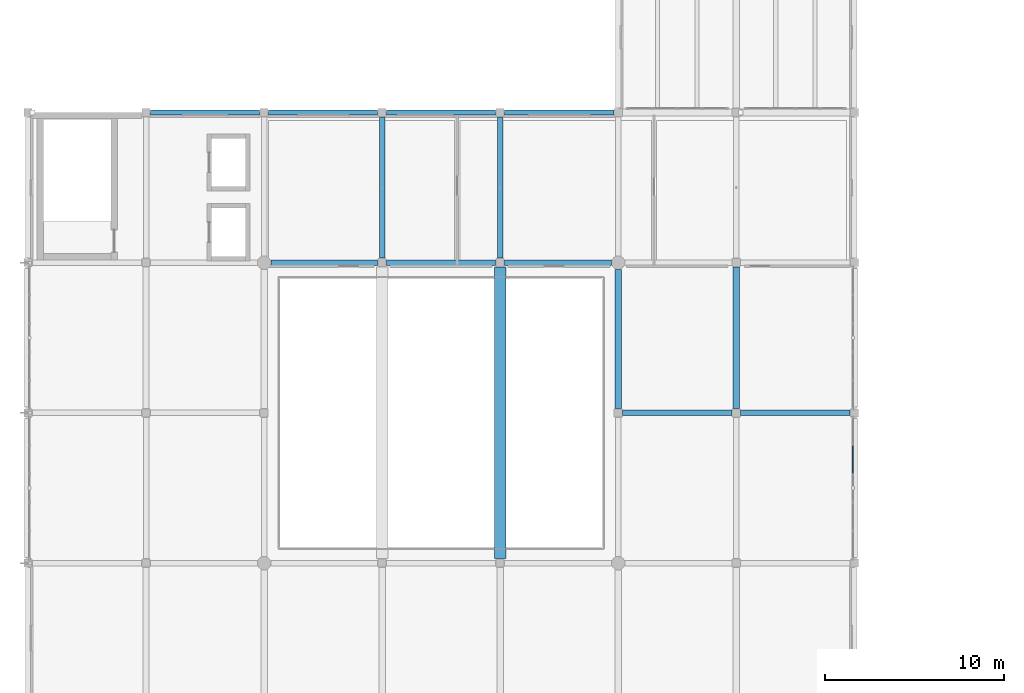
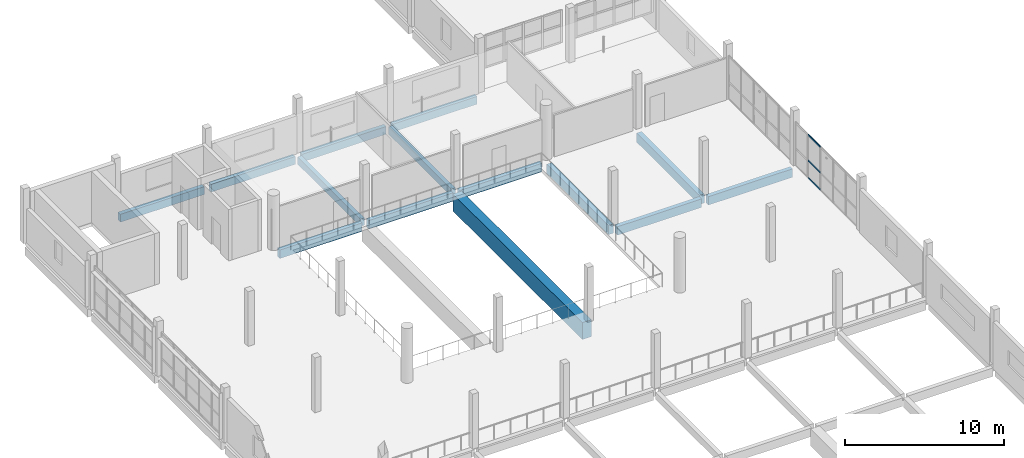
# One storey, part 8 of 74: 14 beams, 3 members, 1 element without a shape of its own.
"""IFC4 building model written with IfcOpenShell, lengths in metres."""

from ifc_helpers import new_model, si_unit, direction, frame, origin, origin_2d, place, context, subcontext, project, spatial, rectangle, extrude, material, material_profile, profile_set, type_object, element, aggregate, save


model = new_model("IFC4")

# Units and contexts
model_context = context("Model", 3, precision=1e-05, world=origin(), true_north=direction((0.0, 1.0)))
body_context = subcontext(model_context, "Body", "Model", "MODEL_VIEW")
ifc_project = project(units=[si_unit("LENGTHUNIT", "METRE"), si_unit("AREAUNIT", "SQUARE_METRE"), si_unit("VOLUMEUNIT", "CUBIC_METRE"), si_unit("PLANEANGLEUNIT", "RADIAN"), si_unit("MASSUNIT", "GRAM", prefix="KILO")], contexts=[model_context])

# Site, building, storey
site_placement = place(None, origin())
site = spatial("IfcSite", under=ifc_project, at=site_placement, CompositionType="ELEMENT")
building_placement = place(site_placement, origin())
building = spatial("IfcBuilding", under=site, at=building_placement, Name="Qaldarim Faculty of Natural and Applied Sciences", CompositionType="ELEMENT")
storey_placement = place(building_placement, frame((0.0, 0.0, 14.39990234375)))
storey = spatial("IfcBuildingStorey", under=building, at=storey_placement, Name="L03", CompositionType="ELEMENT", Elevation=14.39990234375)

# Beams
ifc_material_1 = material(Name="Concrete C40/50", Category="concrete")
ifc_material_profile_1 = material_profile(ifc_material_1, rectangle(XDim=0.300048828125, YDim=0.550048828125, at=origin_2d()), Name="RC-B300x550")
ifc_profile_set_1 = profile_set([ifc_material_profile_1], Name="Concrete C40/50")
beam_type_1 = type_object("IfcBeamType", Name="FloorBeam-RC300x550", PredefinedType="BEAM", material=ifc_profile_set_1)
for number, where, z_axis, x_axis, name in (
    (1, (19.800048828125, 75.85009765625, -0.534912109375), (0.0, 1.0, 0.0), (-1.0, 0.0, 0.0), "Beam RC-B300x550 L02 X04/Y10-Y11"),
    (2, (26.39990234375, 75.85009765625, -0.534912109375), (0.0, 1.0, 0.0), (-1.0, 0.0, 0.0), "Beam RC-B300x550 L02 X05/Y10-Y11"),
):
    element("IfcBeam", number, at=place(storey_placement, frame(where, z_axis=z_axis, x_axis=x_axis)), inside=storey, type_object=beam_type_1, Name=name, PredefinedType="BEAM", context=body_context, shape_type="SweptSolid", body=[
        extrude(rectangle(XDim=0.300048828125, YDim=0.550048828125, at=origin_2d()), origin(), (0.0, 0.0, 1.0), 7.89990234375),
    ])
ifc_material_profile_2 = material_profile(ifc_material_1, rectangle(XDim=0.300048828125, YDim=0.64990234375, at=origin_2d()), Name="RC-B300x650")
ifc_profile_set_2 = profile_set([ifc_material_profile_2], Name="Concrete C40/50")
beam_type_2 = type_object("IfcBeamType", Name="PrimaryBeam-RC300x650", PredefinedType="BEAM", material=ifc_profile_set_2)
beam_1_placement = place(storey_placement, frame((33.25, 67.199951171875, -0.5849609375), z_axis=(1.0, 0.0, 0.0), x_axis=(0.0, 1.0, 0.0)))
element("IfcBeam", 3, at=beam_1_placement, inside=storey, type_object=beam_type_2, Name="Beam RC-B300x650 L02 X06-X07/Y09", PredefinedType="BEAM", context=body_context, shape_type="SweptSolid", body=[
    extrude(rectangle(XDim=0.300048828125, YDim=0.64990234375, at=origin_2d()), origin(), (0.0, 0.0, 1.0), 6.10009765625),
])
beam_2_placement = place(storey_placement, frame((39.85009765625, 67.199951171875, -0.5849609375), z_axis=(1.0, 0.0, 0.0), x_axis=(0.0, 1.0, 0.0)))
element("IfcBeam", 4, at=beam_2_placement, inside=storey, type_object=beam_type_2, Name="Beam RC-B300x650 L02 X07-X08/Y09", PredefinedType="BEAM", context=body_context, shape_type="SweptSolid", body=[
    extrude(rectangle(XDim=0.300048828125, YDim=0.64990234375, at=origin_2d()), origin(), (0.0, 0.0, 1.0), 6.099853515625),
])
beam_3_placement = place(storey_placement, frame((13.574951171875, 75.60009765625, -0.5849609375), z_axis=(1.0, 0.0, 0.0), x_axis=(0.0, 1.0, 0.0)))
element("IfcBeam", 5, at=beam_3_placement, inside=storey, type_object=beam_type_2, Name="Beam RC-B300x650 L02 X03-X04/Y10", PredefinedType="BEAM", context=body_context, shape_type="SweptSolid", body=[
    extrude(rectangle(XDim=0.300048828125, YDim=0.64990234375, at=origin_2d()), origin(), (0.0, 0.0, 1.0), 5.97509765625),
])
beam_4_placement = place(storey_placement, frame((20.050048828125, 75.60009765625, -0.5849609375), z_axis=(1.0, 0.0, 0.0), x_axis=(0.0, 1.0, 0.0)))
element("IfcBeam", 6, at=beam_4_placement, inside=storey, type_object=beam_type_2, Name="Beam RC-B300x650 L02 X04-X05/Y10", PredefinedType="BEAM", context=body_context, shape_type="SweptSolid", body=[
    extrude(rectangle(XDim=0.300048828125, YDim=0.64990234375, at=origin_2d()), origin(), (0.0, 0.0, 1.0), 6.099853515625),
])
beam_5_placement = place(storey_placement, frame((26.64990234375, 75.60009765625, -0.5849609375), z_axis=(1.0, 0.0, 0.0), x_axis=(0.0, 1.0, 0.0)))
element("IfcBeam", 7, at=beam_5_placement, inside=storey, type_object=beam_type_2, Name="Beam RC-B300x650 L02 X05-X06/Y10", PredefinedType="BEAM", context=body_context, shape_type="SweptSolid", body=[
    extrude(rectangle(XDim=0.300048828125, YDim=0.64990234375, at=origin_2d()), origin(), (0.0, 0.0, 1.0), 5.97509765625),
])
ifc_material_profile_3 = material_profile(ifc_material_1, rectangle(XDim=0.35009765625, YDim=0.699951171875, at=origin_2d()), Name="RC-B350x700")
ifc_profile_set_3 = profile_set([ifc_material_profile_3], Name="Concrete C40/50")
beam_type_3 = type_object("IfcBeamType", Name="PrimaryGirder-RC350x700", PredefinedType="BEAM", material=ifc_profile_set_3)
beam_6_placement = place(storey_placement, frame((33.0, 67.449951171875, -0.60986328125), z_axis=(0.0, 1.0, 0.0), x_axis=(-1.0, 0.0, 0.0)))
element("IfcBeam", 8, at=beam_6_placement, inside=storey, type_object=beam_type_3, Name="Beam RC-B350x700 L02 X06/Y09-Y10", PredefinedType="BEAM", context=body_context, shape_type="SweptSolid", body=[
    extrude(rectangle(XDim=0.35009765625, YDim=0.699951171875, at=origin_2d()), origin(), (0.0, 0.0, 1.0), 7.775146484375),
])
beam_7_placement = place(storey_placement, frame((39.60009765625, 67.449951171875, -0.60986328125), z_axis=(0.0, 1.0, 0.0), x_axis=(-1.0, 0.0, 0.0)))
element("IfcBeam", 9, at=beam_7_placement, inside=storey, type_object=beam_type_3, Name="Beam RC-B350x700 L02 X07/Y09-Y10", PredefinedType="BEAM", context=body_context, shape_type="SweptSolid", body=[
    extrude(rectangle(XDim=0.35009765625, YDim=0.699951171875, at=origin_2d()), origin(), (0.0, 0.0, 1.0), 7.900146484375),
])
ifc_material_2 = material(Name="Precast concrete C40/50", Category="concrete")
ifc_material_profile_4 = material_profile(ifc_material_2, rectangle(XDim=0.300048828125, YDim=0.60009765625, at=origin_2d()), Name="RC-SP300x600")
ifc_profile_set_4 = profile_set([ifc_material_profile_4], Name="Precast concrete C40/50")
beam_type_4 = type_object("IfcBeamType", Name="SpandrelBeam-RC300x600", PredefinedType="SPANDREL", material=ifc_profile_set_4)
beam_8_placement = place(storey_placement, frame((6.85009765625, 84.0, -0.559814453125), z_axis=(1.0, 0.0, 0.0), x_axis=(0.0, 1.0, 0.0)))
element("IfcBeam", 10, at=beam_8_placement, inside=storey, type_object=beam_type_4, Name="Beam RC-SP300x600 L02 X02-X03/Y11", PredefinedType="SPANDREL", context=body_context, shape_type="SweptSolid", body=[
    extrude(rectangle(XDim=0.300048828125, YDim=0.60009765625, at=origin_2d()), origin(), (0.0, 0.0, 1.0), 6.099853515625),
])
beam_9_placement = place(storey_placement, frame((13.449951171875, 84.0, -0.559814453125), z_axis=(1.0, 0.0, 0.0), x_axis=(0.0, 1.0, 0.0)))
element("IfcBeam", 11, at=beam_9_placement, inside=storey, type_object=beam_type_4, Name="Beam RC-SP300x600 L02 X03-X04/Y11", PredefinedType="SPANDREL", context=body_context, shape_type="SweptSolid", body=[
    extrude(rectangle(XDim=0.300048828125, YDim=0.60009765625, at=origin_2d()), origin(), (0.0, 0.0, 1.0), 6.10009765625),
])
beam_10_placement = place(storey_placement, frame((20.050048828125, 84.0, -0.559814453125), z_axis=(1.0, 0.0, 0.0), x_axis=(0.0, 1.0, 0.0)))
element("IfcBeam", 12, at=beam_10_placement, inside=storey, type_object=beam_type_4, Name="Beam RC-SP300x600 L02 X04-X05/Y11", PredefinedType="SPANDREL", context=body_context, shape_type="SweptSolid", body=[
    extrude(rectangle(XDim=0.300048828125, YDim=0.60009765625, at=origin_2d()), origin(), (0.0, 0.0, 1.0), 6.099853515625),
])
beam_11_placement = place(storey_placement, frame((26.64990234375, 84.0, -0.559814453125), z_axis=(1.0, 0.0, 0.0), x_axis=(0.0, 1.0, 0.0)))
element("IfcBeam", 13, at=beam_11_placement, inside=storey, type_object=beam_type_4, Name="Beam RC-SP300x600 L02 X05-X06/Y11", PredefinedType="SPANDREL", context=body_context, shape_type="SweptSolid", body=[
    extrude(rectangle(XDim=0.300048828125, YDim=0.60009765625, at=origin_2d()), origin(), (0.0, 0.0, 1.0), 6.10009765625),
])
ifc_material_3 = material(Name="Concrete C50/60", Category="concrete")
ifc_material_profile_5 = material_profile(ifc_material_3, rectangle(XDim=0.64990234375, YDim=1.300048828125, at=origin_2d()), Name="RC-TG650x1300")
ifc_profile_set_5 = profile_set([ifc_material_profile_5], Name="Concrete C50/60")
beam_type_5 = type_object("IfcBeamType", Name="TransferGirder-RC650x1300", PredefinedType="BEAM", material=ifc_profile_set_5)
beam_12_placement = place(storey_placement, frame((26.39990234375, 59.050048828125, -0.909912109375), z_axis=(0.0, 1.0, 0.0), x_axis=(-1.0, 0.0, 0.0)))
element("IfcBeam", 14, at=beam_12_placement, inside=storey, type_object=beam_type_5, Name="Long-span girder L02 X05 Y08-Y10", PredefinedType="BEAM", context=body_context, shape_type="SweptSolid", body=[
    extrude(rectangle(XDim=0.64990234375, YDim=1.300048828125, at=origin_2d()), origin(), (0.0, 0.0, 1.0), 16.300048828125),
])

# Curtain wall, members
ifc_material_4 = material(Name="Anodised aluminium AW-6063", Category="aluminium")
curtain_wall_type = type_object("IfcCurtainWallType", Name="CurtainWallSystem-M1500", PredefinedType="USERDEFINED", material=ifc_material_4)
curtain_wall_placement = place(storey_placement, origin())
curtain_wall = element("IfcCurtainWall", 15, at=curtain_wall_placement, inside=storey, type_object=curtain_wall_type, Name="Curtain wall CW-L03-E-X07Y08", ObjectType="STICK CURTAIN WALL", PredefinedType="USERDEFINED")
ifc_material_profile_6 = material_profile(ifc_material_4, rectangle(XDim=0.06005859375, YDim=0.1201171875, at=origin_2d()), Name="ALU-T60x120")
ifc_profile_set_6 = profile_set([ifc_material_profile_6], Name="Anodised aluminium AW-6063")
member_type = type_object("IfcMemberType", Name="Transom-ALU60x120", PredefinedType="USERDEFINED", material=ifc_profile_set_6)
member_1_placement = place(storey_placement, frame((46.1201171875, 63.825927734375, 0.030029296875), z_axis=(0.0, 1.0, 0.0), x_axis=(-1.0, 0.0, 0.0)))
member_1 = element("IfcMember", 16, at=member_1_placement, type_object=member_type, Name="Transom 4-1 of CW-L03-E-X07Y08", ObjectType="TRANSOM", PredefinedType="USERDEFINED", context=body_context, shape_type="SweptSolid", body=[
    extrude(rectangle(XDim=0.06005859375, YDim=0.1201171875, at=origin_2d()), origin(), (0.0, 0.0, 1.0), 1.531982421875),
])
member_2_placement = place(storey_placement, frame((46.1201171875, 63.825927734375, 1.35009765625), z_axis=(0.0, 1.0, 0.0), x_axis=(-1.0, 0.0, 0.0)))
member_2 = element("IfcMember", 17, at=member_2_placement, type_object=member_type, Name="Transom 4-2 of CW-L03-E-X07Y08", ObjectType="TRANSOM", PredefinedType="USERDEFINED", context=body_context, shape_type="SweptSolid", body=[
    extrude(rectangle(XDim=0.06005859375, YDim=0.1201171875, at=origin_2d()), origin(), (0.0, 0.0, 1.0), 1.531982421875),
])
member_3_placement = place(storey_placement, frame((46.1201171875, 63.825927734375, 3.31005859375), z_axis=(0.0, 1.0, 0.0), x_axis=(-1.0, 0.0, 0.0)))
member_3 = element("IfcMember", 18, at=member_3_placement, type_object=member_type, Name="Transom 4-3 of CW-L03-E-X07Y08", ObjectType="TRANSOM", PredefinedType="USERDEFINED", context=body_context, shape_type="SweptSolid", body=[
    extrude(rectangle(XDim=0.06005859375, YDim=0.1201171875, at=origin_2d()), origin(), (0.0, 0.0, 1.0), 1.531982421875),
])
aggregate(curtain_wall, [member_1, member_2, member_3])

save(model, "model.ifc")
